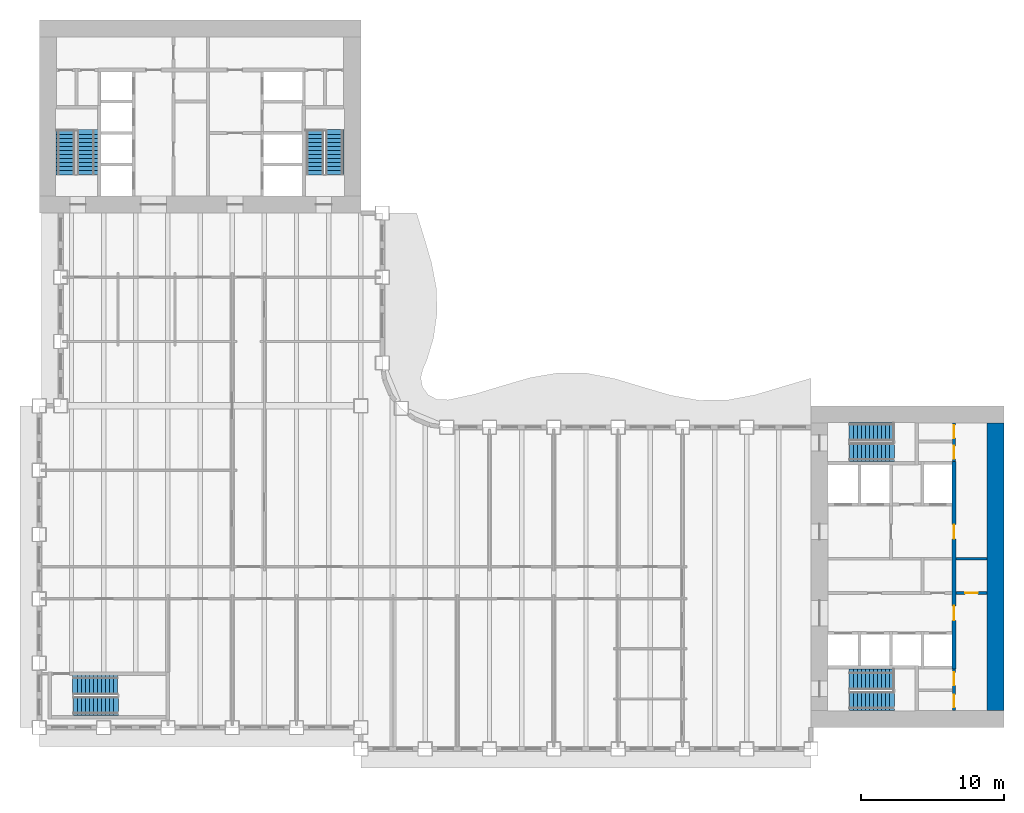
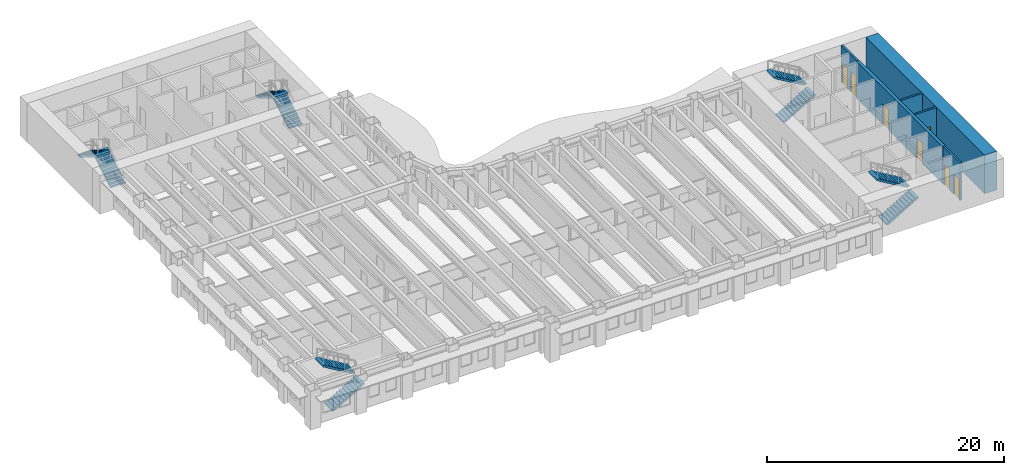
# One storey, part 10 of 16: 10 stair flights, 7 doors, 6 walls, 7 openings, 5 elements without a shape of their own.
"""IFC4 building model written with IfcOpenShell, lengths in metres."""

import ifcopenshell
import ifcopenshell.guid

model = None  # the IFC model being written
_history = None  # IfcOwnerHistory: only IFC2X3 demands one
_inside = {}  # id of a spatial element -> (the spatial element, [elements in it])
_under = {}  # id of a project, library or spatial element -> (it, [spatial elements below it])
_declared = {}  # id of a project -> (the project, [libraries it declares])
_typed = {}  # id of a type object -> (the type object, [elements of that type])
_made_of = {}  # id of a material, layer set ... -> (it, [elements and type objects made of it])


def new_model(schema):
    """Start an empty IFC model of exactly this schema.

    Asked for "IFC4X3", IfcOpenShell would pick the latest addendum, in which some entities
    have other attributes; the version numbers below select the first issue.
    IFC2X3 requires an IfcOwnerHistory on every rooted entity: one is made here for all.
    """
    global model, _history
    if schema == "IFC4X3":
        model = ifcopenshell.file(schema_version=(4, 3, 0, 0))
    else:
        model = ifcopenshell.file(schema=schema)
    _inside.clear()
    _under.clear()
    _declared.clear()
    _typed.clear()
    _made_of.clear()
    _history = None
    if model.schema == "IFC2X3":
        org = make("IfcOrganization", Name="unknown")
        user = make(
            "IfcPersonAndOrganization",
            ThePerson=make("IfcPerson", FamilyName="unknown"),
            TheOrganization=org,
        )
        app = make(
            "IfcApplication",
            ApplicationDeveloper=org,
            Version="unknown",
            ApplicationFullName="unknown",
            ApplicationIdentifier="unknown",
        )
        _history = make(
            "IfcOwnerHistory",
            OwningUser=user,
            OwningApplication=app,
            ChangeAction="ADDED",
            CreationDate=0,
        )
    return model


def make(cls, **values):
    """One entity of the class cls with the attributes given. An attribute that is None is left unset."""
    return model.create_entity(
        cls, **{name: value for name, value in values.items() if value is not None}
    )


def rooted(cls, **values):
    """An entity with a GlobalId (a new one), such as an element, a storey or a relation."""
    return make(cls, GlobalId=ifcopenshell.guid.new(), OwnerHistory=_history, **values)


def si_unit(unit_type, name, prefix=None):
    """IfcSIUnit, for example si_unit("LENGTHUNIT", "METRE", prefix="MILLI")."""
    return make("IfcSIUnit", UnitType=unit_type, Prefix=prefix, Name=name)


def assignment(units):
    """IfcUnitAssignment: the units of a project."""
    return None if units is None else make("IfcUnitAssignment", Units=units)


def point(xyz):
    """IfcCartesianPoint."""
    return None if xyz is None else make("IfcCartesianPoint", Coordinates=xyz)


def direction(xyz):
    """IfcDirection."""
    return None if xyz is None else make("IfcDirection", DirectionRatios=xyz)


def frame(location, z_axis=None, x_axis=None):
    """IfcAxis2Placement3D, a coordinate frame: its origin and axes. An axis left out is left unset."""
    return make(
        "IfcAxis2Placement3D",
        Location=point(location),
        Axis=direction(z_axis),
        RefDirection=direction(x_axis),
    )


def frame_2d(location, x_axis=None):
    """IfcAxis2Placement2D, a coordinate frame in the plane: its origin and x axis."""
    return make(
        "IfcAxis2Placement2D", Location=point(location), RefDirection=direction(x_axis)
    )


def origin():
    """The frame at (0, 0, 0) with its axes left unset."""
    return frame((0.0, 0.0, 0.0))


def place(relative_to, where):
    """IfcLocalPlacement: puts the frame where relative to a parent placement (None: the world)."""
    return make(
        "IfcLocalPlacement", PlacementRelTo=relative_to, RelativePlacement=where
    )


def context(
    kind, dimensions, precision=None, world=None, true_north=None, identifier=None
):
    """IfcGeometricRepresentationContext, for example the 3D "Model" context."""
    return make(
        "IfcGeometricRepresentationContext",
        ContextIdentifier=identifier,
        ContextType=kind,
        CoordinateSpaceDimension=dimensions,
        Precision=precision,
        WorldCoordinateSystem=world,
        TrueNorth=true_north,
    )


def subcontext(parent, identifier, kind, view, scale=None):
    """IfcGeometricRepresentationSubContext, for example "Body" below "Model"."""
    return make(
        "IfcGeometricRepresentationSubContext",
        ContextIdentifier=identifier,
        ContextType=kind,
        ParentContext=parent,
        TargetScale=scale,
        TargetView=view,
    )


def project(units=None, contexts=None):
    """IfcProject with its units and contexts."""
    return rooted(
        "IfcProject",
        Name="project",
        RepresentationContexts=contexts,
        UnitsInContext=assignment(units),
    )


def spatial(cls, under=None, at=None, **own):
    """A site, building, storey or space (cls), placed at a placement, below another one or the project."""
    s = rooted(cls, ObjectPlacement=at, **own)
    if under is not None:
        _under.setdefault(under.id(), (under, []))[1].append(s)
    return s


def polyline(points):
    """IfcPolyline through the points."""
    return make("IfcPolyline", Points=[point(p) for p in points])


def profile(cls, at=None, kind="AREA", **sizes):
    """A parametric profile (cls). Its sizes go by their IFC names, for example OverallWidth=200.0."""
    return make(cls, ProfileType=kind, Position=at, **sizes)


def rectangle(**sizes):
    """IfcRectangleProfileDef."""
    return profile("IfcRectangleProfileDef", **sizes)


def outline(outer, holes=None, kind="AREA"):
    """IfcArbitraryClosedProfileDef: a profile drawn as a closed curve; with holes, ...WithVoids."""
    if holes is None:
        return make("IfcArbitraryClosedProfileDef", ProfileType=kind, OuterCurve=outer)
    return make(
        "IfcArbitraryProfileDefWithVoids",
        ProfileType=kind,
        OuterCurve=outer,
        InnerCurves=holes,
    )


def extrude(swept, where, along, depth):
    """IfcExtrudedAreaSolid: the profile swept, set in the frame where, extruded along a direction by depth."""
    return make(
        "IfcExtrudedAreaSolid",
        SweptArea=swept,
        Position=where,
        ExtrudedDirection=direction(along),
        Depth=depth,
    )


def shape(context_of_items, identifier, shape_type, items):
    """IfcShapeRepresentation: the items that make up one representation, for example the "Body"."""
    return make(
        "IfcShapeRepresentation",
        ContextOfItems=context_of_items,
        RepresentationIdentifier=identifier,
        RepresentationType=shape_type,
        Items=items,
    )


def material(Name=None, Category=None):
    """IfcMaterial."""
    return make("IfcMaterial", Name=Name, Category=Category)


def layer(
    of_material, thickness, ventilated=None, Name=None, Category=None, Priority=None
):
    """IfcMaterialLayer: one layer of a wall or slab, of a material (None: an air gap)."""
    return make(
        "IfcMaterialLayer",
        Material=of_material,
        LayerThickness=thickness,
        IsVentilated=ventilated,
        Name=Name,
        Category=Category,
        Priority=Priority,
    )


def layer_set(layers, Name=None):
    """IfcMaterialLayerSet."""
    return make("IfcMaterialLayerSet", MaterialLayers=layers, LayerSetName=Name)


def made_of(thing, what):
    """Note that an element or type object is made of a material, layer set ...; save() writes the relation."""
    if what is not None:
        _made_of.setdefault(what.id(), (what, []))[1].append(thing)
    return thing


def type_object(cls, material=None, **own):
    """A type object (cls), such as IfcWallType, which elements share."""
    return made_of(rooted(cls, **own), material)


def element(
    cls,
    number,
    at=None,
    inside=None,
    cuts=None,
    type_object=None,
    material=None,
    context=None,
    identifier="Body",
    shape_type=None,
    held_by="IfcProductDefinitionShape",
    body=None,
    shapes=None,
    **own,
):
    """One element of the class cls, such as IfcWall. Its Tag is "e" and its number.

    at: its placement. inside: the storey or other place that contains it. cuts: it is an
    opening in that element (IfcRelVoidsElement). A single representation is given by context,
    identifier, shape_type and body (its items); several are given by shapes. held_by: the class
    of the entity that holds the representations. save() writes the other relations.
    """
    e = rooted(cls, Tag="e%d" % number, ObjectPlacement=at, **own)
    if body is not None:
        shapes = [shape(context, identifier, shape_type, body)]
    if shapes is not None:
        e.Representation = make(held_by, Representations=shapes)
    if inside is not None:
        _inside.setdefault(inside.id(), (inside, []))[1].append(e)
    if cuts is not None:
        rooted(
            "IfcRelVoidsElement", RelatingBuildingElement=cuts, RelatedOpeningElement=e
        )
    if type_object is not None:
        _typed.setdefault(type_object.id(), (type_object, []))[1].append(e)
    return made_of(e, material)


def fill(opening, filler):
    """IfcRelFillsElement: the door or window that sits in an opening."""
    return rooted(
        "IfcRelFillsElement",
        RelatingOpeningElement=opening,
        RelatedBuildingElement=filler,
    )


def aggregate(whole, parts):
    """IfcRelAggregates: a whole, such as a stair, and the parts it consists of."""
    return rooted("IfcRelAggregates", RelatingObject=whole, RelatedObjects=parts)


def save(model, path):
    """Write the relations noted so far, then the file.

    IfcRelAggregates (storeys below a building ...), IfcRelContainedInSpatialStructure (elements
    in a storey), IfcRelDefinesByType, IfcRelAssociatesMaterial and IfcRelDeclares: one each for
    every whole, place, type object, material and project.
    """
    for whole, parts in _under.values():
        aggregate(whole, parts)
    for where, things in _inside.values():
        rooted(
            "IfcRelContainedInSpatialStructure",
            RelatedElements=things,
            RelatingStructure=where,
        )
    for kind, things in _typed.values():
        rooted("IfcRelDefinesByType", RelatedObjects=things, RelatingType=kind)
    for what, things in _made_of.values():
        rooted("IfcRelAssociatesMaterial", RelatedObjects=things, RelatingMaterial=what)
    for by, libraries in _declared.values():
        rooted("IfcRelDeclares", RelatingContext=by, RelatedDefinitions=libraries)
    model.write(path)


model = new_model("IFC4")

# Units and contexts
model_context = context("Model", 3, precision=1e-05, world=origin(), true_north=direction((0.0, 1.0)))
body_context = subcontext(model_context, "Body", "Model", "MODEL_VIEW")
ifc_project = project(units=[si_unit("LENGTHUNIT", "METRE"), si_unit("AREAUNIT", "SQUARE_METRE"), si_unit("VOLUMEUNIT", "CUBIC_METRE"), si_unit("PLANEANGLEUNIT", "RADIAN"), si_unit("MASSUNIT", "GRAM", prefix="KILO")], contexts=[model_context])

# Site, building, storey
site_placement = place(None, origin())
site = spatial("IfcSite", under=ifc_project, at=site_placement, CompositionType="ELEMENT")
building_placement = place(site_placement, origin())
building = spatial("IfcBuilding", under=site, at=building_placement, Name="Sennacour Bend Tower", CompositionType="ELEMENT")
storey_placement = place(building_placement, frame((0.0, 0.0, 119.0)))
storey = spatial("IfcBuildingStorey", under=building, at=storey_placement, Name="L27", CompositionType="ELEMENT", Elevation=119.0)

# Wall
ifc_material_1 = material(Name="Concrete C80/95", Category="concrete")
ifc_layer_1 = layer(ifc_material_1, 1.199951171875, Name="Concrete C80/95", Category="concrete")
ifc_layer_set_1 = layer_set([ifc_layer_1], Name="Concrete C80/95")
wall_type_1 = type_object("IfcWallType", Name="Core wall 1200 C80/95", PredefinedType="SHEAR", material=ifc_layer_set_1)
wall_1_placement = place(storey_placement, frame((66.89990234375, 1.199951171875, -0.14990234375), z_axis=(0.0, 0.0, 1.0), x_axis=(0.0, 1.0, 0.0)))
element("IfcWall", 1, at=wall_1_placement, inside=storey, type_object=wall_type_1, Name="Core A wall L27 E", PredefinedType="SHEAR", context=body_context, shape_type="SweptSolid", body=[
    extrude(rectangle(XDim=20.10009765625, YDim=1.199951171875, at=frame_2d((10.050048828125, 0.0))), origin(), (0.0, 0.0, 1.0), 4.0),
])

# Wall, openings, doors
ifc_material_2 = material(Name="Fire-rated plasterboard partition on steel studs", Category="steel")
ifc_layer_2 = layer(ifc_material_2, 0.199951171875, Name="Fire-rated plasterboard partition on steel studs", Category="steel")
ifc_layer_set_2 = layer_set([ifc_layer_2], Name="Fire-rated plasterboard partition on steel studs")
wall_type_2 = type_object("IfcWallType", Name="Rated partition 200", PredefinedType="PARTITIONING", material=ifc_layer_set_2)
wall_2_placement = place(storey_placement, frame((64.0, 1.199951171875, 0.0), z_axis=(0.0, 0.0, 1.0), x_axis=(0.0, 1.0, 0.0)))
wall_2 = element("IfcWall", 2, at=wall_2_placement, inside=storey, type_object=wall_type_2, Name="P-L27-W046", PredefinedType="PARTITIONING", context=body_context, shape_type="SweptSolid", body=[
    extrude(rectangle(XDim=2.900146484375, YDim=0.199951171875, at=frame_2d((1.4501953125, 0.0))), origin(), (0.0, 0.0, 1.0), 3.85009765625),
])
opening_1_placement = place(wall_2_placement, frame((0.199951171875, 0.0, 0.0)))
opening_1 = element("IfcOpeningElement", 3, at=opening_1_placement, cuts=wall_2, Name="Opening SV", PredefinedType="OPENING", context=body_context, shape_type="SweptSolid", body=[
    extrude(rectangle(XDim=0.89990234375, YDim=2.10009765625, at=frame_2d((0.449951171875, 1.050048828125))), frame((0.0, 0.10986328125, 0.0), z_axis=(0.0, -1.0, 0.0), x_axis=(1.0, 0.0, 0.0)), (0.0, 0.0, 1.0), 0.219970703125),
])
opening_2_placement = place(wall_2_placement, frame((1.75, 0.0, 0.0)))
opening_2 = element("IfcOpeningElement", 4, at=opening_2_placement, cuts=wall_2, Name="Opening WD", PredefinedType="OPENING", context=body_context, shape_type="SweptSolid", body=[
    extrude(rectangle(XDim=0.89990234375, YDim=2.10009765625, at=frame_2d((0.449951171875, 1.050048828125))), frame((0.0, 0.10986328125, 0.0), z_axis=(0.0, -1.0, 0.0), x_axis=(1.0, 0.0, 0.0)), (0.0, 0.0, 1.0), 0.219970703125),
])
ifc_material_3 = material(Name="Painted steel", Category="steel")
door_type_1 = type_object("IfcDoorType", Name="DR-SERVICE-900", OperationType="NOTDEFINED", PredefinedType="DOOR", material=ifc_material_3)
door_1_placement = place(opening_1_placement, origin())
door_1 = element("IfcDoor", 5, at=door_1_placement, inside=storey, type_object=door_type_1, Name="Door", OperationType="SINGLE_SWING_LEFT", OverallHeight=2.10009765625, OverallWidth=0.89990234375, PredefinedType="DOOR", context=body_context, shape_type="SweptSolid", body=[
    extrude(rectangle(XDim=0.89990234375, YDim=2.10009765625, at=frame_2d((0.449951171875, 1.050048828125))), frame((0.0, 0.02490234375, 0.0), z_axis=(0.0, -1.0, 0.0), x_axis=(1.0, 0.0, 0.0)), (0.0, 0.0, 1.0), 0.050048828125),
])
fill(opening_1, door_1)
ifc_material_4 = material(Name="Timber", Category="wood")
door_type_2 = type_object("IfcDoorType", Name="DR-WC-900", OperationType="NOTDEFINED", PredefinedType="DOOR", material=ifc_material_4)
door_2_placement = place(opening_2_placement, origin())
door_2 = element("IfcDoor", 6, at=door_2_placement, inside=storey, type_object=door_type_2, Name="Door", OperationType="SINGLE_SWING_RIGHT", OverallHeight=2.10009765625, OverallWidth=0.89990234375, PredefinedType="DOOR", context=body_context, shape_type="SweptSolid", body=[
    extrude(rectangle(XDim=0.89990234375, YDim=2.10009765625, at=frame_2d((0.449951171875, 1.050048828125))), frame((0.0, 0.02490234375, 0.0), z_axis=(0.0, -1.0, 0.0), x_axis=(1.0, 0.0, 0.0)), (0.0, 0.0, 1.0), 0.050048828125),
])
fill(opening_2, door_2)

wall_3_placement = place(storey_placement, frame((64.0, 18.60009765625, 0.0), z_axis=(0.0, 0.0, 1.0), x_axis=(0.0, 1.0, 0.0)))
wall_3 = element("IfcWall", 7, at=wall_3_placement, inside=storey, type_object=wall_type_2, Name="P-L27-W048", PredefinedType="PARTITIONING", context=body_context, shape_type="SweptSolid", body=[
    extrude(rectangle(XDim=2.699951171875, YDim=0.199951171875, at=frame_2d((1.35009765625, 0.0))), origin(), (0.0, 0.0, 1.0), 3.85009765625),
])
opening_3_placement = place(wall_3_placement, frame((0.199951171875, 0.0, 0.0)))
opening_3 = element("IfcOpeningElement", 8, at=opening_3_placement, cuts=wall_3, Name="Opening SV", PredefinedType="OPENING", context=body_context, shape_type="SweptSolid", body=[
    extrude(rectangle(XDim=0.89990234375, YDim=2.10009765625, at=frame_2d((0.449951171875, 1.050048828125))), frame((0.0, 0.10986328125, 0.0), z_axis=(0.0, -1.0, 0.0), x_axis=(1.0, 0.0, 0.0)), (0.0, 0.0, 1.0), 0.219970703125),
])
opening_4_placement = place(wall_3_placement, frame((1.64990234375, 0.0, 0.0)))
opening_4 = element("IfcOpeningElement", 9, at=opening_4_placement, cuts=wall_3, Name="Opening SV", PredefinedType="OPENING", context=body_context, shape_type="SweptSolid", body=[
    extrude(rectangle(XDim=0.89990234375, YDim=2.10009765625, at=frame_2d((0.449951171875, 1.050048828125))), frame((0.0, 0.10986328125, 0.0), z_axis=(0.0, -1.0, 0.0), x_axis=(1.0, 0.0, 0.0)), (0.0, 0.0, 1.0), 0.219970703125),
])
door_3_placement = place(opening_3_placement, origin())
door_3 = element("IfcDoor", 10, at=door_3_placement, inside=storey, type_object=door_type_1, Name="Door", OperationType="SINGLE_SWING_LEFT", OverallHeight=2.10009765625, OverallWidth=0.89990234375, PredefinedType="DOOR", context=body_context, shape_type="SweptSolid", body=[
    extrude(rectangle(XDim=0.89990234375, YDim=2.10009765625, at=frame_2d((0.449951171875, 1.050048828125))), frame((0.0, 0.02490234375, 0.0), z_axis=(0.0, -1.0, 0.0), x_axis=(1.0, 0.0, 0.0)), (0.0, 0.0, 1.0), 0.050048828125),
])
fill(opening_3, door_3)
door_4_placement = place(opening_4_placement, origin())
door_4 = element("IfcDoor", 11, at=door_4_placement, inside=storey, type_object=door_type_1, Name="Door", OperationType="SINGLE_SWING_RIGHT", OverallHeight=2.10009765625, OverallWidth=0.89990234375, PredefinedType="DOOR", context=body_context, shape_type="SweptSolid", body=[
    extrude(rectangle(XDim=0.89990234375, YDim=2.10009765625, at=frame_2d((0.449951171875, 1.050048828125))), frame((0.0, 0.02490234375, 0.0), z_axis=(0.0, -1.0, 0.0), x_axis=(1.0, 0.0, 0.0)), (0.0, 0.0, 1.0), 0.050048828125),
])
fill(opening_4, door_4)

# Wall, opening, door
wall_4_placement = place(storey_placement, frame((64.14990234375, 9.39990234375, 0.0), z_axis=(0.0, 0.0, 1.0), x_axis=(1.0, 0.0, 0.0)))
wall_4 = element("IfcWall", 12, at=wall_4_placement, inside=storey, type_object=wall_type_2, Name="P-L27-W060c", PredefinedType="PARTITIONING", context=body_context, shape_type="SweptSolid", body=[
    extrude(rectangle(XDim=2.150146484375, YDim=0.199951171875, at=frame_2d((1.0751953125, 0.0))), origin(), (0.0, 0.0, 1.0), 3.85009765625),
])
opening_5_placement = place(wall_4_placement, frame((0.625, 0.0, 0.0)))
opening_5 = element("IfcOpeningElement", 13, at=opening_5_placement, cuts=wall_4, Name="Opening SV", PredefinedType="OPENING", context=body_context, shape_type="SweptSolid", body=[
    extrude(rectangle(XDim=0.89990234375, YDim=2.10009765625, at=frame_2d((0.449951171875, 1.050048828125))), frame((0.0, 0.10986328125, 0.0), z_axis=(0.0, -1.0, 0.0), x_axis=(1.0, 0.0, 0.0)), (0.0, 0.0, 1.0), 0.219970703125),
])
door_5_placement = place(opening_5_placement, origin())
door_5 = element("IfcDoor", 14, at=door_5_placement, inside=storey, type_object=door_type_1, Name="Door", OperationType="SINGLE_SWING_LEFT", OverallHeight=2.10009765625, OverallWidth=0.89990234375, PredefinedType="DOOR", context=body_context, shape_type="SweptSolid", body=[
    extrude(rectangle(XDim=0.89990234375, YDim=2.10009765625, at=frame_2d((0.449951171875, 1.050048828125))), frame((0.0, 0.02490234375, 0.0), z_axis=(0.0, -1.0, 0.0), x_axis=(1.0, 0.0, 0.0)), (0.0, 0.0, 1.0), 0.050048828125),
])
fill(opening_5, door_5)

# Wall
wall_5_placement = place(storey_placement, frame((64.14990234375, 11.800048828125, 0.0), z_axis=(0.0, 0.0, 1.0), x_axis=(1.0, 0.0, 0.0)))
element("IfcWall", 15, at=wall_5_placement, inside=storey, type_object=wall_type_2, Name="P-L27-W062d", PredefinedType="PARTITIONING", context=body_context, shape_type="SweptSolid", body=[
    extrude(rectangle(XDim=2.150146484375, YDim=0.199951171875, at=frame_2d((1.0751953125, 0.0))), origin(), (0.0, 0.0, 1.0), 3.85009765625),
])

# Wall, openings, doors
ifc_material_5 = material(Name="Concrete C60/75", Category="concrete")
ifc_layer_3 = layer(ifc_material_5, 0.300048828125, Name="Concrete C60/75", Category="concrete")
ifc_layer_set_3 = layer_set([ifc_layer_3], Name="Concrete C60/75")
wall_type_3 = type_object("IfcWallType", Name="Spine wall 300", PredefinedType="SHEAR", material=ifc_layer_set_3)
wall_6_placement = place(storey_placement, frame((64.0, 4.10009765625, 0.0), z_axis=(0.0, 0.0, 1.0), x_axis=(0.0, 1.0, 0.0)))
wall_6 = element("IfcWall", 16, at=wall_6_placement, inside=storey, type_object=wall_type_3, Name="P-L27-W047", PredefinedType="SHEAR", context=body_context, shape_type="SweptSolid", body=[
    extrude(rectangle(XDim=14.5, YDim=0.300048828125, at=frame_2d((7.25, 0.0))), origin(), (0.0, 0.0, 1.0), 3.85009765625),
])
opening_6_placement = place(wall_6_placement, frame((3.39990234375, 0.0, 0.0)))
opening_6 = element("IfcOpeningElement", 17, at=opening_6_placement, cuts=wall_6, Name="Opening CD2", PredefinedType="OPENING", context=body_context, shape_type="SweptSolid", body=[
    extrude(rectangle(XDim=1.0, YDim=2.10009765625, at=frame_2d((0.5, 1.050048828125))), frame((0.0, 0.16015625, 0.0), z_axis=(0.0, -1.0, 0.0), x_axis=(1.0, 0.0, 0.0)), (0.0, 0.0, 1.0), 0.320068359375),
])
opening_7_placement = place(wall_6_placement, frame((9.099853515625, 0.0, 0.0)))
opening_7 = element("IfcOpeningElement", 18, at=opening_7_placement, cuts=wall_6, Name="Opening CD2", PredefinedType="OPENING", context=body_context, shape_type="SweptSolid", body=[
    extrude(rectangle(XDim=1.0, YDim=2.10009765625, at=frame_2d((0.5, 1.050048828125))), frame((0.0, 0.16015625, 0.0), z_axis=(0.0, -1.0, 0.0), x_axis=(1.0, 0.0, 0.0)), (0.0, 0.0, 1.0), 0.320068359375),
])
door_type_3 = type_object("IfcDoorType", Name="DR-LOBBY-1000", OperationType="NOTDEFINED", PredefinedType="DOOR", material=ifc_material_3)
door_6_placement = place(opening_6_placement, origin())
door_6 = element("IfcDoor", 19, at=door_6_placement, inside=storey, type_object=door_type_3, Name="Door", OperationType="SINGLE_SWING_LEFT", OverallHeight=2.10009765625, OverallWidth=1.0, PredefinedType="DOOR", context=body_context, shape_type="SweptSolid", body=[
    extrude(rectangle(XDim=1.0, YDim=2.10009765625, at=frame_2d((0.5, 1.050048828125))), frame((0.0, 0.02490234375, 0.0), z_axis=(0.0, -1.0, 0.0), x_axis=(1.0, 0.0, 0.0)), (0.0, 0.0, 1.0), 0.050048828125),
])
fill(opening_6, door_6)
door_7_placement = place(opening_7_placement, origin())
door_7 = element("IfcDoor", 20, at=door_7_placement, inside=storey, type_object=door_type_3, Name="Door", OperationType="SINGLE_SWING_RIGHT", OverallHeight=2.10009765625, OverallWidth=1.0, PredefinedType="DOOR", context=body_context, shape_type="SweptSolid", body=[
    extrude(rectangle(XDim=1.0, YDim=2.10009765625, at=frame_2d((0.5, 1.050048828125))), frame((0.0, 0.02490234375, 0.0), z_axis=(0.0, -1.0, 0.0), x_axis=(1.0, 0.0, 0.0)), (0.0, 0.0, 1.0), 0.050048828125),
])
fill(opening_7, door_7)

# Stair, stair flights
ifc_material_6 = material(Name="Concrete C40/50", Category="concrete")
stair_type = type_object("IfcStairType", Name="ST-DOGLEG", PredefinedType="HALF_TURN_STAIR", material=ifc_material_6)
stair_1_placement = place(storey_placement, origin())
stair_1 = element("IfcStair", 21, at=stair_1_placement, inside=storey, type_object=stair_type, Name="L27 Exit stair A1", PredefinedType="HALF_TURN_STAIR")
stair_flight_type = type_object("IfcStairFlightType", Name="SFL-RC", PredefinedType="STRAIGHT", material=ifc_material_6)
stair_flight_1_placement = place(storey_placement, frame((56.699951171875, 1.8349609375, 0.0), z_axis=(0.0, 0.0, 1.0), x_axis=(1.0, 0.0, 0.0)))
stair_flight_1 = element("IfcStairFlight", 22, at=stair_flight_1_placement, type_object=stair_flight_type, Name="SA1 flight 1", NumberOfRisers=12, NumberOfTreads=11, PredefinedType="STRAIGHT", RiserHeight=0.166666667, TreadLength=0.28, context=body_context, shape_type="SweptSolid", body=[
    extrude(outline(polyline([(0.0, 0.0), (0.0, 0.166748046875), (0.280029296875, 0.166748046875), (0.280029296875, 0.333251953125), (0.56005859375, 0.333251953125), (0.56005859375, 0.5), (0.840087890625, 0.5), (0.840087890625, 0.666748046875), (1.1201171875, 0.666748046875), (1.1201171875, 0.833251953125), (1.39990234375, 0.833251953125), (1.39990234375, 1.0), (1.679931640625, 1.0), (1.679931640625, 1.166748046875), (1.9599609375, 1.166748046875), (1.9599609375, 1.333251953125), (2.239990234375, 1.333251953125), (2.239990234375, 1.5), (2.52001953125, 1.5), (2.52001953125, 1.666748046875), (2.800048828125, 1.666748046875), (2.800048828125, 1.833251953125), (3.080078125, 1.833251953125), (3.139892578125, 1.833251953125), (3.139892578125, 1.658935546875), (3.080078125, 1.658935546875), (0.29296875, 0.0), (0.0, 0.0)])), frame((0.0, 0.6650390625, 0.0), z_axis=(0.0, -1.0, 0.0), x_axis=(1.0, 0.0, 0.0)), (0.0, 0.0, 1.0), 1.330078125),
])
stair_flight_2_placement = place(storey_placement, frame((59.780029296875, 3.37744140625, 2.0), z_axis=(0.0, 0.0, 1.0), x_axis=(-1.0, 0.0, 0.0)))
stair_flight_2 = element("IfcStairFlight", 23, at=stair_flight_2_placement, type_object=stair_flight_type, Name="SA1 flight 2", NumberOfRisers=12, NumberOfTreads=11, PredefinedType="STRAIGHT", RiserHeight=0.166666667, TreadLength=0.28, context=body_context, shape_type="SweptSolid", body=[
    extrude(outline(polyline([(0.0, 0.0), (0.0, 0.166748046875), (0.280029296875, 0.166748046875), (0.280029296875, 0.333251953125), (0.56005859375, 0.333251953125), (0.56005859375, 0.5), (0.840087890625, 0.5), (0.840087890625, 0.666748046875), (1.1201171875, 0.666748046875), (1.1201171875, 0.833251953125), (1.39990234375, 0.833251953125), (1.39990234375, 1.0), (1.679931640625, 1.0), (1.679931640625, 1.166748046875), (1.9599609375, 1.166748046875), (1.9599609375, 1.333251953125), (2.239990234375, 1.333251953125), (2.239990234375, 1.5), (2.52001953125, 1.5), (2.52001953125, 1.666748046875), (2.800048828125, 1.666748046875), (2.800048828125, 1.833251953125), (3.080078125, 1.833251953125), (3.139892578125, 1.833251953125), (3.139892578125, 1.658935546875), (3.080078125, 1.658935546875), (0.29296875, 0.0), (0.0, 0.0)])), frame((0.0, 0.7275390625, 0.0), z_axis=(0.0, -1.0, 0.0), x_axis=(1.0, 0.0, 0.0)), (0.0, 0.0, 1.0), 1.455078125),
])
aggregate(stair_1, [stair_flight_1, stair_flight_2])

stair_2_placement = place(storey_placement, origin())
stair_2 = element("IfcStair", 24, at=stair_2_placement, inside=storey, type_object=stair_type, Name="L27 Exit stair A2", PredefinedType="HALF_TURN_STAIR")
stair_flight_3_placement = place(storey_placement, frame((56.699951171875, 19.24755859375, 0.0), z_axis=(0.0, 0.0, 1.0), x_axis=(1.0, 0.0, 0.0)))
stair_flight_3 = element("IfcStairFlight", 25, at=stair_flight_3_placement, type_object=stair_flight_type, Name="SA2 flight 1", NumberOfRisers=12, NumberOfTreads=11, PredefinedType="STRAIGHT", RiserHeight=0.166666667, TreadLength=0.28, context=body_context, shape_type="SweptSolid", body=[
    extrude(outline(polyline([(0.0, 0.0), (0.0, 0.166748046875), (0.280029296875, 0.166748046875), (0.280029296875, 0.333251953125), (0.56005859375, 0.333251953125), (0.56005859375, 0.5), (0.840087890625, 0.5), (0.840087890625, 0.666748046875), (1.1201171875, 0.666748046875), (1.1201171875, 0.833251953125), (1.39990234375, 0.833251953125), (1.39990234375, 1.0), (1.679931640625, 1.0), (1.679931640625, 1.166748046875), (1.9599609375, 1.166748046875), (1.9599609375, 1.333251953125), (2.239990234375, 1.333251953125), (2.239990234375, 1.5), (2.52001953125, 1.5), (2.52001953125, 1.666748046875), (2.800048828125, 1.666748046875), (2.800048828125, 1.833251953125), (3.080078125, 1.833251953125), (3.139892578125, 1.833251953125), (3.139892578125, 1.658935546875), (3.080078125, 1.658935546875), (0.29296875, 0.0), (0.0, 0.0)])), frame((0.0, 0.65234375, 0.0), z_axis=(0.0, -1.0, 0.0), x_axis=(1.0, 0.0, 0.0)), (0.0, 0.0, 1.0), 1.304931640625),
])
stair_flight_4_placement = place(storey_placement, frame((59.780029296875, 20.68994140625, 2.0), z_axis=(0.0, 0.0, 1.0), x_axis=(-1.0, 0.0, 0.0)))
stair_flight_4 = element("IfcStairFlight", 26, at=stair_flight_4_placement, type_object=stair_flight_type, Name="SA2 flight 2", NumberOfRisers=12, NumberOfTreads=11, PredefinedType="STRAIGHT", RiserHeight=0.166666667, TreadLength=0.28, context=body_context, shape_type="SweptSolid", body=[
    extrude(outline(polyline([(0.0, 0.0), (0.0, 0.166748046875), (0.280029296875, 0.166748046875), (0.280029296875, 0.333251953125), (0.56005859375, 0.333251953125), (0.56005859375, 0.5), (0.840087890625, 0.5), (0.840087890625, 0.666748046875), (1.1201171875, 0.666748046875), (1.1201171875, 0.833251953125), (1.39990234375, 0.833251953125), (1.39990234375, 1.0), (1.679931640625, 1.0), (1.679931640625, 1.166748046875), (1.9599609375, 1.166748046875), (1.9599609375, 1.333251953125), (2.239990234375, 1.333251953125), (2.239990234375, 1.5), (2.52001953125, 1.5), (2.52001953125, 1.666748046875), (2.800048828125, 1.666748046875), (2.800048828125, 1.833251953125), (3.080078125, 1.833251953125), (3.139892578125, 1.833251953125), (3.139892578125, 1.658935546875), (3.080078125, 1.658935546875), (0.29296875, 0.0), (0.0, 0.0)])), frame((0.0, 0.64013671875, 0.0), z_axis=(0.0, -1.0, 0.0), x_axis=(1.0, 0.0, 0.0)), (0.0, 0.0, 1.0), 1.280029296875),
])
aggregate(stair_2, [stair_flight_3, stair_flight_4])

stair_3_placement = place(storey_placement, origin())
stair_3 = element("IfcStair", 27, at=stair_3_placement, inside=storey, type_object=stair_type, Name="L27 Exit stair B1", PredefinedType="HALF_TURN_STAIR")
stair_flight_5_placement = place(storey_placement, frame((3.37744140625, 38.699951171875, 0.0), z_axis=(0.0, 0.0, 1.0), x_axis=(0.0, 1.0, 0.0)))
stair_flight_5 = element("IfcStairFlight", 28, at=stair_flight_5_placement, type_object=stair_flight_type, Name="SB1 flight 1", NumberOfRisers=12, NumberOfTreads=11, PredefinedType="STRAIGHT", RiserHeight=0.166666667, TreadLength=0.28, context=body_context, shape_type="SweptSolid", body=[
    extrude(outline(polyline([(0.0, 0.0), (0.0, 0.166748046875), (0.280029296875, 0.166748046875), (0.280029296875, 0.333251953125), (0.56005859375, 0.333251953125), (0.56005859375, 0.5), (0.840087890625, 0.5), (0.840087890625, 0.666748046875), (1.1201171875, 0.666748046875), (1.1201171875, 0.833251953125), (1.39990234375, 0.833251953125), (1.39990234375, 1.0), (1.679931640625, 1.0), (1.679931640625, 1.166748046875), (1.9599609375, 1.166748046875), (1.9599609375, 1.333251953125), (2.239990234375, 1.333251953125), (2.239990234375, 1.5), (2.52001953125, 1.5), (2.52001953125, 1.666748046875), (2.800048828125, 1.666748046875), (2.800048828125, 1.833251953125), (3.080078125, 1.833251953125), (3.139892578125, 1.833251953125), (3.139892578125, 1.658935546875), (3.080078125, 1.658935546875), (0.29296875, 0.0), (0.0, 0.0)])), frame((0.0, 0.7275390625, 0.0), z_axis=(0.0, -1.0, 0.0), x_axis=(1.0, 0.0, 0.0)), (0.0, 0.0, 1.0), 1.455078125),
])
stair_flight_6_placement = place(storey_placement, frame((1.8349609375, 41.780029296875, 2.0), z_axis=(0.0, 0.0, 1.0), x_axis=(0.0, -1.0, 0.0)))
stair_flight_6 = element("IfcStairFlight", 29, at=stair_flight_6_placement, type_object=stair_flight_type, Name="SB1 flight 2", NumberOfRisers=12, NumberOfTreads=11, PredefinedType="STRAIGHT", RiserHeight=0.166666667, TreadLength=0.28, context=body_context, shape_type="SweptSolid", body=[
    extrude(outline(polyline([(0.0, 0.0), (0.0, 0.166748046875), (0.280029296875, 0.166748046875), (0.280029296875, 0.333251953125), (0.56005859375, 0.333251953125), (0.56005859375, 0.5), (0.840087890625, 0.5), (0.840087890625, 0.666748046875), (1.1201171875, 0.666748046875), (1.1201171875, 0.833251953125), (1.39990234375, 0.833251953125), (1.39990234375, 1.0), (1.679931640625, 1.0), (1.679931640625, 1.166748046875), (1.9599609375, 1.166748046875), (1.9599609375, 1.333251953125), (2.239990234375, 1.333251953125), (2.239990234375, 1.5), (2.52001953125, 1.5), (2.52001953125, 1.666748046875), (2.800048828125, 1.666748046875), (2.800048828125, 1.833251953125), (3.080078125, 1.833251953125), (3.139892578125, 1.833251953125), (3.139892578125, 1.658935546875), (3.080078125, 1.658935546875), (0.29296875, 0.0), (0.0, 0.0)])), frame((0.0, 0.6650390625, 0.0), z_axis=(0.0, -1.0, 0.0), x_axis=(1.0, 0.0, 0.0)), (0.0, 0.0, 1.0), 1.330078125),
])
aggregate(stair_3, [stair_flight_5, stair_flight_6])

stair_4_placement = place(storey_placement, origin())
stair_4 = element("IfcStair", 30, at=stair_4_placement, inside=storey, type_object=stair_type, Name="L27 Exit stair B2", PredefinedType="HALF_TURN_STAIR")
stair_flight_7_placement = place(storey_placement, frame((20.68994140625, 38.699951171875, 0.0), z_axis=(0.0, 0.0, 1.0), x_axis=(0.0, 1.0, 0.0)))
stair_flight_7 = element("IfcStairFlight", 31, at=stair_flight_7_placement, type_object=stair_flight_type, Name="SB2 flight 1", NumberOfRisers=12, NumberOfTreads=11, PredefinedType="STRAIGHT", RiserHeight=0.166666667, TreadLength=0.28, context=body_context, shape_type="SweptSolid", body=[
    extrude(outline(polyline([(0.0, 0.0), (0.0, 0.166748046875), (0.280029296875, 0.166748046875), (0.280029296875, 0.333251953125), (0.56005859375, 0.333251953125), (0.56005859375, 0.5), (0.840087890625, 0.5), (0.840087890625, 0.666748046875), (1.1201171875, 0.666748046875), (1.1201171875, 0.833251953125), (1.39990234375, 0.833251953125), (1.39990234375, 1.0), (1.679931640625, 1.0), (1.679931640625, 1.166748046875), (1.9599609375, 1.166748046875), (1.9599609375, 1.333251953125), (2.239990234375, 1.333251953125), (2.239990234375, 1.5), (2.52001953125, 1.5), (2.52001953125, 1.666748046875), (2.800048828125, 1.666748046875), (2.800048828125, 1.833251953125), (3.080078125, 1.833251953125), (3.139892578125, 1.833251953125), (3.139892578125, 1.658935546875), (3.080078125, 1.658935546875), (0.29296875, 0.0), (0.0, 0.0)])), frame((0.0, 0.64013671875, 0.0), z_axis=(0.0, -1.0, 0.0), x_axis=(1.0, 0.0, 0.0)), (0.0, 0.0, 1.0), 1.280029296875),
])
stair_flight_8_placement = place(storey_placement, frame((19.24755859375, 41.780029296875, 2.0), z_axis=(0.0, 0.0, 1.0), x_axis=(0.0, -1.0, 0.0)))
stair_flight_8 = element("IfcStairFlight", 32, at=stair_flight_8_placement, type_object=stair_flight_type, Name="SB2 flight 2", NumberOfRisers=12, NumberOfTreads=11, PredefinedType="STRAIGHT", RiserHeight=0.166666667, TreadLength=0.28, context=body_context, shape_type="SweptSolid", body=[
    extrude(outline(polyline([(0.0, 0.0), (0.0, 0.166748046875), (0.280029296875, 0.166748046875), (0.280029296875, 0.333251953125), (0.56005859375, 0.333251953125), (0.56005859375, 0.5), (0.840087890625, 0.5), (0.840087890625, 0.666748046875), (1.1201171875, 0.666748046875), (1.1201171875, 0.833251953125), (1.39990234375, 0.833251953125), (1.39990234375, 1.0), (1.679931640625, 1.0), (1.679931640625, 1.166748046875), (1.9599609375, 1.166748046875), (1.9599609375, 1.333251953125), (2.239990234375, 1.333251953125), (2.239990234375, 1.5), (2.52001953125, 1.5), (2.52001953125, 1.666748046875), (2.800048828125, 1.666748046875), (2.800048828125, 1.833251953125), (3.080078125, 1.833251953125), (3.139892578125, 1.833251953125), (3.139892578125, 1.658935546875), (3.080078125, 1.658935546875), (0.29296875, 0.0), (0.0, 0.0)])), frame((0.0, 0.65234375, 0.0), z_axis=(0.0, -1.0, 0.0), x_axis=(1.0, 0.0, 0.0)), (0.0, 0.0, 1.0), 1.304931640625),
])
aggregate(stair_4, [stair_flight_7, stair_flight_8])

stair_5_placement = place(storey_placement, origin())
stair_5 = element("IfcStair", 33, at=stair_5_placement, inside=storey, type_object=stair_type, Name="L27 Exit stair K1", PredefinedType="HALF_TURN_STAIR")
stair_flight_9_placement = place(storey_placement, frame((2.39990234375, 1.485107421875, 0.0), z_axis=(0.0, 0.0, 1.0), x_axis=(1.0, 0.0, 0.0)))
stair_flight_9 = element("IfcStairFlight", 34, at=stair_flight_9_placement, type_object=stair_flight_type, Name="SK1 flight 1", NumberOfRisers=12, NumberOfTreads=11, PredefinedType="STRAIGHT", RiserHeight=0.166666667, TreadLength=0.28, context=body_context, shape_type="SweptSolid", body=[
    extrude(outline(polyline([(0.0, 0.0), (0.0, 0.166748046875), (0.280029296875, 0.166748046875), (0.280029296875, 0.333251953125), (0.56005859375, 0.333251953125), (0.56005859375, 0.5), (0.840087890625, 0.5), (0.840087890625, 0.666748046875), (1.1201171875, 0.666748046875), (1.1201171875, 0.833251953125), (1.39990234375, 0.833251953125), (1.39990234375, 1.0), (1.679931640625, 1.0), (1.679931640625, 1.166748046875), (1.9599609375, 1.166748046875), (1.9599609375, 1.333251953125), (2.239990234375, 1.333251953125), (2.239990234375, 1.5), (2.52001953125, 1.5), (2.52001953125, 1.666748046875), (2.800048828125, 1.666748046875), (2.800048828125, 1.833251953125), (3.080078125, 1.833251953125), (3.139892578125, 1.833251953125), (3.139892578125, 1.658935546875), (3.080078125, 1.658935546875), (0.29296875, 0.0), (0.0, 0.0)])), frame((0.0, 0.6650390625, 0.0), z_axis=(0.0, -1.0, 0.0), x_axis=(1.0, 0.0, 0.0)), (0.0, 0.0, 1.0), 1.330078125),
])
stair_flight_10_placement = place(storey_placement, frame((5.47998046875, 2.9775390625, 2.0), z_axis=(0.0, 0.0, 1.0), x_axis=(-1.0, 0.0, 0.0)))
stair_flight_10 = element("IfcStairFlight", 35, at=stair_flight_10_placement, type_object=stair_flight_type, Name="SK1 flight 2", NumberOfRisers=12, NumberOfTreads=11, PredefinedType="STRAIGHT", RiserHeight=0.166666667, TreadLength=0.28, context=body_context, shape_type="SweptSolid", body=[
    extrude(outline(polyline([(0.0, 0.0), (0.0, 0.166748046875), (0.280029296875, 0.166748046875), (0.280029296875, 0.333251953125), (0.56005859375, 0.333251953125), (0.56005859375, 0.5), (0.840087890625, 0.5), (0.840087890625, 0.666748046875), (1.1201171875, 0.666748046875), (1.1201171875, 0.833251953125), (1.39990234375, 0.833251953125), (1.39990234375, 1.0), (1.679931640625, 1.0), (1.679931640625, 1.166748046875), (1.9599609375, 1.166748046875), (1.9599609375, 1.333251953125), (2.239990234375, 1.333251953125), (2.239990234375, 1.5), (2.52001953125, 1.5), (2.52001953125, 1.666748046875), (2.800048828125, 1.666748046875), (2.800048828125, 1.833251953125), (3.080078125, 1.833251953125), (3.139892578125, 1.833251953125), (3.139892578125, 1.658935546875), (3.080078125, 1.658935546875), (0.29296875, 0.0), (0.0, 0.0)])), frame((0.0, 0.677490234375, 0.0), z_axis=(0.0, -1.0, 0.0), x_axis=(1.0, 0.0, 0.0)), (0.0, 0.0, 1.0), 1.35498046875),
])
aggregate(stair_5, [stair_flight_9, stair_flight_10])

save(model, "model.ifc")
